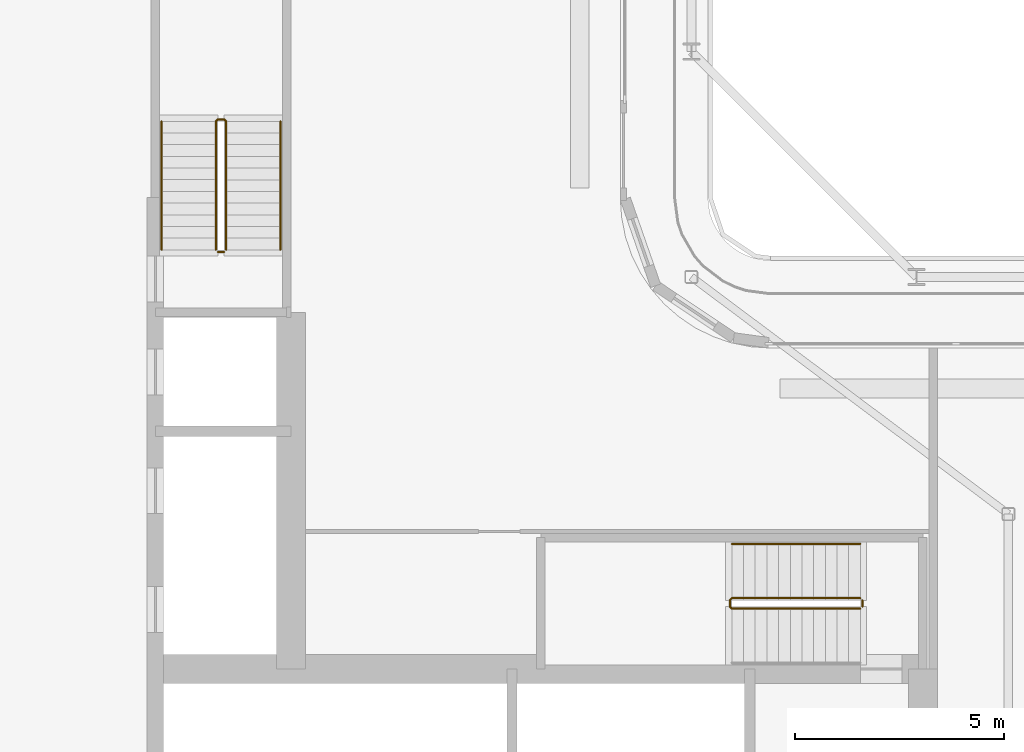
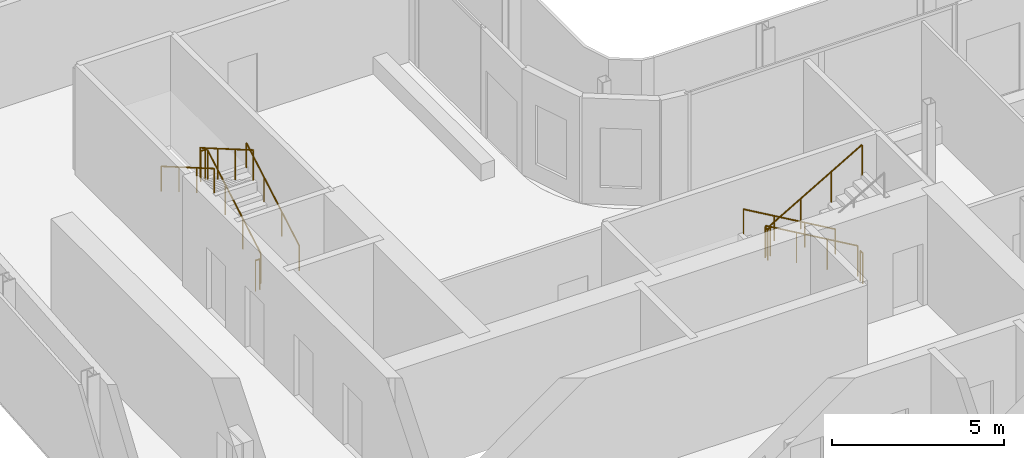
# One storey, part 17 of 22: 7 railings.
"""IFC4 building model written with IfcOpenShell, lengths in metres."""

from ifc_helpers import new_model, si_unit, direction, frame, origin, origin_2d, place, context, subcontext, project, spatial, circle, extrude, material, type_object, element, save


model = new_model("IFC4")

# Units and contexts
model_context = context("Model", 3, precision=1e-05, world=origin(), true_north=direction((0.0, 1.0)))
body_context = subcontext(model_context, "Body", "Model", "MODEL_VIEW")
ifc_project = project(units=[si_unit("LENGTHUNIT", "METRE"), si_unit("AREAUNIT", "SQUARE_METRE"), si_unit("VOLUMEUNIT", "CUBIC_METRE"), si_unit("PLANEANGLEUNIT", "RADIAN"), si_unit("MASSUNIT", "GRAM", prefix="KILO")], contexts=[model_context])

# Site, building, storey
site_placement = place(None, origin())
site = spatial("IfcSite", under=ifc_project, at=site_placement, CompositionType="ELEMENT")
building_placement = place(site_placement, origin())
building = spatial("IfcBuilding", under=site, at=building_placement, Name="Kheshtan School and Residences Tower", CompositionType="ELEMENT")
storey_placement = place(building_placement, frame((0.0, 0.0, 251.300048828125)))
storey = spatial("IfcBuildingStorey", under=building, at=storey_placement, Name="L59", CompositionType="ELEMENT", Elevation=251.300048828125)

# Railings
ifc_material_1 = material(Name="Stainless steel balustrade", Category="steel")
railing_type_1 = type_object("IfcRailingType", Name="Stair guard 1100", PredefinedType="GUARDRAIL", material=ifc_material_1)
railing_1_placement = place(storey_placement, frame((51.64990234375, 37.89990234375, 0.162353515625)))
element("IfcRailing", 1, at=railing_1_placement, inside=storey, type_object=railing_type_1, Name="L59 ST1 stair guard 1", PredefinedType="GUARDRAIL", context=body_context, shape_type="SweptSolid", body=[
    extrude(circle(Radius=0.02392578125, at=origin_2d()), frame((0.0, 0.0, 1.076171875), z_axis=(-0.864873446163, 0.0, 0.501989962173), x_axis=(0.0, -1.0, 0.0)), (0.0, 0.0, 1.0), 3.56103515625),
    extrude(circle(Radius=0.02392578125, at=origin_2d()), frame((-3.079833984375, 0.0, 2.86376953125), z_axis=(-0.708833529934, -0.705375805398, 0.0), x_axis=(0.705375805398, -0.708833529934, 0.0)), (0.0, 0.0, 1.0), 0.070556640625),
    extrude(circle(Radius=0.02392578125, at=origin_2d()), frame((-3.1298828125, -0.0498046875, 2.86376953125), z_axis=(0.0, -1.0, 0.0), x_axis=(1.0, 0.0, 0.0)), (0.0, 0.0, 1.0), 0.150146484375),
    extrude(circle(Radius=0.02392578125, at=origin_2d()), frame((-3.1298828125, -0.199951171875, 2.86376953125), z_axis=(0.282227285176, -0.282227285176, 0.916894497205), x_axis=(0.707106781187, 0.707106781187, 0.0)), (0.0, 0.0, 1.0), 0.17724609375),
    extrude(circle(Radius=0.02392578125, at=origin_2d()), frame((-3.079833984375, -0.25, 3.0263671875), z_axis=(0.864903211148, 0.0, 0.501938676878), x_axis=(0.0, 1.0, 0.0)), (0.0, 0.0, 1.0), 3.560791015625),
    extrude(circle(Radius=0.02099609375, at=origin_2d()), origin(), (0.0, 0.0, 1.0), 1.052001953125),
    extrude(circle(Radius=0.02099609375, at=origin_2d()), frame((-1.026611328125, 0.0, 0.595947265625)), (0.0, 0.0, 1.0), 1.052001953125),
    extrude(circle(Radius=0.02099609375, at=origin_2d()), frame((-2.05322265625, 0.0, 1.191650390625)), (0.0, 0.0, 1.0), 1.052001953125),
    extrude(circle(Radius=0.02099609375, at=origin_2d()), frame((-3.079833984375, 0.0, 1.78759765625)), (0.0, 0.0, 1.0), 1.052001953125),
    extrude(circle(Radius=0.02099609375, at=origin_2d()), frame((-3.1298828125, -0.0498046875, 1.78759765625)), (0.0, 0.0, 1.0), 1.052001953125),
    extrude(circle(Radius=0.02099609375, at=origin_2d()), frame((-3.1298828125, -0.199951171875, 1.78759765625)), (0.0, 0.0, 1.0), 1.052001953125),
    extrude(circle(Radius=0.02099609375, at=origin_2d()), frame((-3.079833984375, -0.25, 1.9501953125)), (0.0, 0.0, 1.0), 1.052001953125),
    extrude(circle(Radius=0.02099609375, at=origin_2d()), frame((-2.05322265625, -0.25, 2.5458984375)), (0.0, 0.0, 1.0), 1.052001953125),
    extrude(circle(Radius=0.02099609375, at=origin_2d()), frame((-1.026611328125, -0.25, 3.141845703125)), (0.0, 0.0, 1.0), 1.052001953125),
    extrude(circle(Radius=0.02099609375, at=origin_2d()), frame((0.0, -0.25, 3.737548828125)), (0.0, 0.0, 1.0), 1.052001953125),
])
railing_2_placement = place(storey_placement, frame((51.699951171875, 37.85009765625, 0.0)))
element("IfcRailing", 2, at=railing_2_placement, inside=storey, type_object=railing_type_1, Name="L59 ST1 stair guard 2", PredefinedType="GUARDRAIL", context=body_context, shape_type="SweptSolid", body=[
    extrude(circle(Radius=0.02392578125, at=origin_2d()), frame((0.0, 0.0, 1.076171875), z_axis=(0.0, -1.0, 0.0), x_axis=(1.0, 0.0, 0.0)), (0.0, 0.0, 1.0), 0.150146484375),
    extrude(circle(Radius=0.02099609375, at=origin_2d()), origin(), (0.0, 0.0, 1.0), 1.052001953125),
    extrude(circle(Radius=0.02099609375, at=origin_2d()), frame((0.0, -0.150146484375, 0.0)), (0.0, 0.0, 1.0), 1.052001953125),
])
railing_3_placement = place(storey_placement, frame((36.449951171875, 46.25, 0.162353515625)))
element("IfcRailing", 3, at=railing_3_placement, inside=storey, type_object=railing_type_1, Name="L59 ST2 stair guard 1", PredefinedType="GUARDRAIL", context=body_context, shape_type="SweptSolid", body=[
    extrude(circle(Radius=0.02392578125, at=origin_2d()), frame((0.0, 0.0, 1.076171875), z_axis=(0.0, 0.864890721111, 0.501960198159), x_axis=(-1.0, 0.0, 0.0)), (0.0, 0.0, 1.0), 3.561279296875),
    extrude(circle(Radius=0.02392578125, at=origin_2d()), frame((0.0, 3.080078125, 2.86376953125), z_axis=(-0.708833529934, 0.705375805398, 0.0), x_axis=(-0.705375805398, -0.708833529934, 0.0)), (0.0, 0.0, 1.0), 0.070556640625),
    extrude(circle(Radius=0.02392578125, at=origin_2d()), frame((-0.050048828125, 3.1298828125, 2.86376953125), z_axis=(-1.0, 0.0, 0.0), x_axis=(0.0, -1.0, 0.0)), (0.0, 0.0, 1.0), 0.14990234375),
    extrude(circle(Radius=0.02392578125, at=origin_2d()), frame((-0.199951171875, 3.1298828125, 2.86376953125), z_axis=(-0.282336740067, -0.280959487676, 0.917250092119), x_axis=(0.705375805398, -0.708833529934, 0.0)), (0.0, 0.0, 1.0), 0.17724609375),
    extrude(circle(Radius=0.02392578125, at=origin_2d()), frame((-0.25, 3.080078125, 3.0263671875), z_axis=(0.0, -0.864920483161, 0.501908913857), x_axis=(1.0, 0.0, 0.0)), (0.0, 0.0, 1.0), 3.56103515625),
    extrude(circle(Radius=0.02099609375, at=origin_2d()), origin(), (0.0, 0.0, 1.0), 1.052001953125),
    extrude(circle(Radius=0.02099609375, at=origin_2d()), frame((0.0, 1.026611328125, 0.595947265625)), (0.0, 0.0, 1.0), 1.052001953125),
    extrude(circle(Radius=0.02099609375, at=origin_2d()), frame((0.0, 2.053466796875, 1.191650390625)), (0.0, 0.0, 1.0), 1.052001953125),
    extrude(circle(Radius=0.02099609375, at=origin_2d()), frame((0.0, 3.080078125, 1.78759765625)), (0.0, 0.0, 1.0), 1.052001953125),
    extrude(circle(Radius=0.02099609375, at=origin_2d()), frame((-0.050048828125, 3.1298828125, 1.78759765625)), (0.0, 0.0, 1.0), 1.052001953125),
    extrude(circle(Radius=0.02099609375, at=origin_2d()), frame((-0.199951171875, 3.1298828125, 1.78759765625)), (0.0, 0.0, 1.0), 1.052001953125),
    extrude(circle(Radius=0.02099609375, at=origin_2d()), frame((-0.25, 3.080078125, 1.9501953125)), (0.0, 0.0, 1.0), 1.052001953125),
    extrude(circle(Radius=0.02099609375, at=origin_2d()), frame((-0.25, 2.053466796875, 2.5458984375)), (0.0, 0.0, 1.0), 1.052001953125),
    extrude(circle(Radius=0.02099609375, at=origin_2d()), frame((-0.25, 1.026611328125, 3.141845703125)), (0.0, 0.0, 1.0), 1.052001953125),
    extrude(circle(Radius=0.02099609375, at=origin_2d()), frame((-0.25, 0.0, 3.737548828125)), (0.0, 0.0, 1.0), 1.052001953125),
])
railing_4_placement = place(storey_placement, frame((36.39990234375, 46.199951171875, 0.0)))
element("IfcRailing", 4, at=railing_4_placement, inside=storey, type_object=railing_type_1, Name="L59 ST2 stair guard 2", PredefinedType="GUARDRAIL", context=body_context, shape_type="SweptSolid", body=[
    extrude(circle(Radius=0.02392578125, at=origin_2d()), frame((0.0, 0.0, 1.076171875), z_axis=(-1.0, 0.0, 0.0), x_axis=(0.0, -1.0, 0.0)), (0.0, 0.0, 1.0), 0.14990234375),
    extrude(circle(Radius=0.02099609375, at=origin_2d()), origin(), (0.0, 0.0, 1.0), 1.052001953125),
    extrude(circle(Radius=0.02099609375, at=origin_2d()), frame((-0.14990234375, 0.0, 0.0)), (0.0, 0.0, 1.0), 1.052001953125),
])
ifc_material_2 = material(Name="Stainless steel handrail", Category="steel")
railing_type_2 = type_object("IfcRailingType", Name="Stair handrail 900", PredefinedType="HANDRAIL", material=ifc_material_2)
railing_5_placement = place(storey_placement, frame((51.64990234375, 39.199951171875, 0.162353515625)))
element("IfcRailing", 5, at=railing_5_placement, inside=storey, type_object=railing_type_2, Name="L59 ST1 stair handrail 1", PredefinedType="HANDRAIL", context=body_context, shape_type="SweptSolid", body=[
    extrude(circle(Radius=0.02392578125, at=origin_2d()), frame((0.0, 0.0, 0.8759765625), z_axis=(-0.864873446163, 0.0, 0.501989962173), x_axis=(0.0, -1.0, 0.0)), (0.0, 0.0, 1.0), 3.56103515625),
    extrude(circle(Radius=0.02099609375, at=origin_2d()), origin(), (0.0, 0.0, 1.0), 0.851806640625),
    extrude(circle(Radius=0.02099609375, at=origin_2d()), frame((-1.026611328125, 0.0, 0.595947265625)), (0.0, 0.0, 1.0), 0.851806640625),
    extrude(circle(Radius=0.02099609375, at=origin_2d()), frame((-2.05322265625, 0.0, 1.191650390625)), (0.0, 0.0, 1.0), 0.851806640625),
    extrude(circle(Radius=0.02099609375, at=origin_2d()), frame((-3.079833984375, 0.0, 1.78759765625)), (0.0, 0.0, 1.0), 0.851806640625),
])
railing_6_placement = place(storey_placement, frame((37.75, 46.25, 0.162353515625)))
element("IfcRailing", 6, at=railing_6_placement, inside=storey, type_object=railing_type_2, Name="L59 ST2 stair handrail 1", PredefinedType="HANDRAIL", context=body_context, shape_type="SweptSolid", body=[
    extrude(circle(Radius=0.02392578125, at=origin_2d()), frame((0.0, 0.0, 0.8759765625), z_axis=(0.0, 0.864890721111, 0.501960198159), x_axis=(-1.0, 0.0, 0.0)), (0.0, 0.0, 1.0), 3.561279296875),
    extrude(circle(Radius=0.02099609375, at=origin_2d()), origin(), (0.0, 0.0, 1.0), 0.851806640625),
    extrude(circle(Radius=0.02099609375, at=origin_2d()), frame((0.0, 1.026611328125, 0.595947265625)), (0.0, 0.0, 1.0), 0.851806640625),
    extrude(circle(Radius=0.02099609375, at=origin_2d()), frame((0.0, 2.053466796875, 1.191650390625)), (0.0, 0.0, 1.0), 0.851806640625),
    extrude(circle(Radius=0.02099609375, at=origin_2d()), frame((0.0, 3.080078125, 1.78759765625)), (0.0, 0.0, 1.0), 0.851806640625),
])
railing_7_placement = place(storey_placement, frame((34.89990234375, 49.330078125, 2.112548828125)))
element("IfcRailing", 7, at=railing_7_placement, inside=storey, type_object=railing_type_2, Name="L59 ST2 stair handrail 2", PredefinedType="HANDRAIL", context=body_context, shape_type="SweptSolid", body=[
    extrude(circle(Radius=0.02392578125, at=origin_2d()), frame((0.0, 0.0, 0.8759765625), z_axis=(0.0, -0.864920483161, 0.501908913857), x_axis=(1.0, 0.0, 0.0)), (0.0, 0.0, 1.0), 3.56103515625),
    extrude(circle(Radius=0.02099609375, at=origin_2d()), origin(), (0.0, 0.0, 1.0), 0.851806640625),
    extrude(circle(Radius=0.02099609375, at=origin_2d()), frame((0.0, -1.026611328125, 0.595703125)), (0.0, 0.0, 1.0), 0.851806640625),
    extrude(circle(Radius=0.02099609375, at=origin_2d()), frame((0.0, -2.053466796875, 1.191650390625)), (0.0, 0.0, 1.0), 0.851806640625),
    extrude(circle(Radius=0.02099609375, at=origin_2d()), frame((0.0, -3.080078125, 1.787353515625)), (0.0, 0.0, 1.0), 0.851806640625),
])

save(model, "model.ifc")
